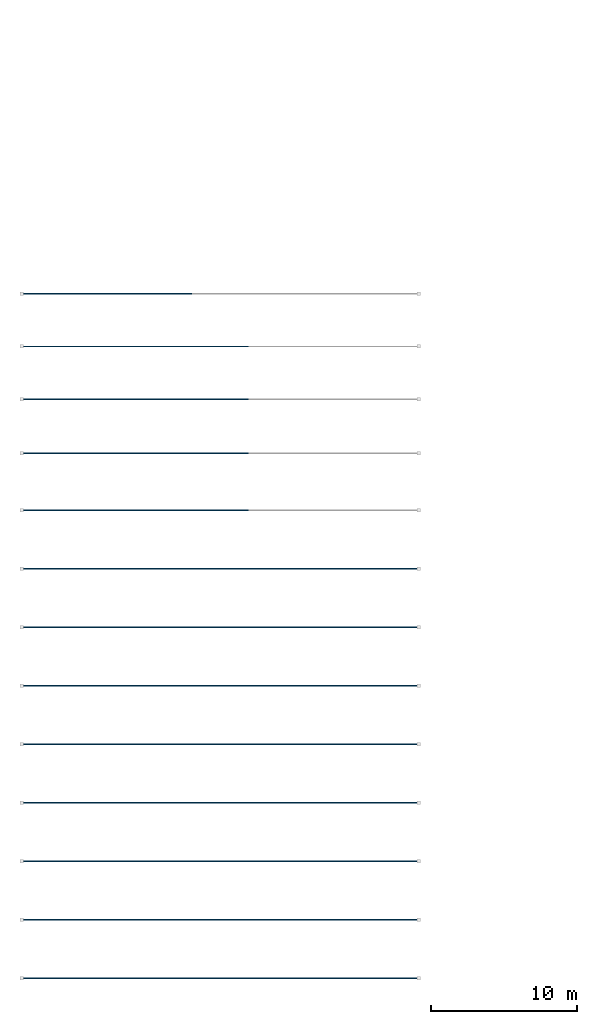
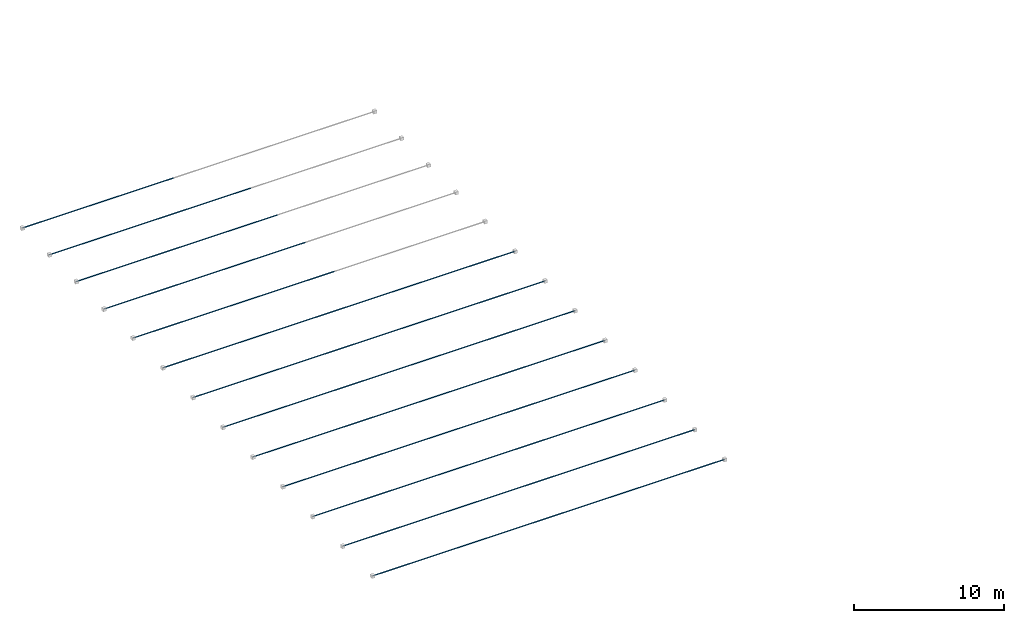
# One storey, part 1 of 4: 75 members.
"""IFC4 building model written with IfcOpenShell, lengths in metres."""

from ifc_helpers import new_model, si_unit, direction, frame, origin, origin_2d, place, context, subcontext, project, spatial, hollow_circle, extrude, material, material_profile, profile_set, type_object, element, save


model = new_model("IFC4")

# Units and contexts
model_context = context("Model", 3, precision=1e-05, world=origin(), true_north=direction((0.0, 1.0)))
body_context = subcontext(model_context, "Body", "Model", "MODEL_VIEW")
ifc_project = project(units=[si_unit("LENGTHUNIT", "METRE"), si_unit("AREAUNIT", "SQUARE_METRE"), si_unit("VOLUMEUNIT", "CUBIC_METRE"), si_unit("PLANEANGLEUNIT", "RADIAN"), si_unit("MASSUNIT", "GRAM", prefix="KILO")], contexts=[model_context])

# Site, building, storey
site_placement = place(None, origin())
site = spatial("IfcSite", under=ifc_project, at=site_placement, CompositionType="ELEMENT")
building_placement = place(site_placement, origin())
building = spatial("IfcBuilding", under=site, at=building_placement, Name="Kharva Crest Polytechnic", CompositionType="ELEMENT")
storey_placement = place(building_placement, frame((0.0, 0.0, 30.0)))
storey = spatial("IfcBuildingStorey", under=building, at=storey_placement, Name="RF", CompositionType="ELEMENT", Elevation=30.0)

# Members
ifc_material = material(Name="Steel S355", Category="steel")
ifc_material_profile = material_profile(ifc_material, hollow_circle(Radius=0.04443359375, WallThickness=0.0048828125, at=origin_2d()), Name="CHS 88.9X5.0")
ifc_profile_set = profile_set([ifc_material_profile], Name="Steel S355")
member_type = type_object("IfcMemberType", Name="MEM-CHS88-PR", PredefinedType="PURLIN", material=ifc_profile_set)
member_1_placement = place(storey_placement, frame((2.419921875, 42.800048828125, -18.488037109375), z_axis=(1.0, 0.0, 0.0), x_axis=(0.0, 1.0, 0.0)))
element("IfcMember", 1, at=member_1_placement, inside=storey, type_object=member_type, Name="Space Frame Roof Purlin 1.1", PredefinedType="PURLIN", context=body_context, shape_type="SweptSolid", body=[
    extrude(hollow_circle(Radius=0.04443359375, WallThickness=0.0048828125, at=origin_2d()), origin(), (0.0, 0.0, 1.0), 3.880126953125),
])
member_2_placement = place(storey_placement, frame((6.300048828125, 42.800048828125, -18.488037109375), z_axis=(1.0, 0.0, 0.0), x_axis=(0.0, 1.0, 0.0)))
element("IfcMember", 2, at=member_2_placement, inside=storey, type_object=member_type, Name="Space Frame Roof Purlin 1.2", PredefinedType="PURLIN", context=body_context, shape_type="SweptSolid", body=[
    extrude(hollow_circle(Radius=0.04443359375, WallThickness=0.0048828125, at=origin_2d()), origin(), (0.0, 0.0, 1.0), 3.8798828125),
])
member_3_placement = place(storey_placement, frame((10.179931640625, 42.800048828125, -18.488037109375), z_axis=(1.0, 0.0, 0.0), x_axis=(0.0, 1.0, 0.0)))
element("IfcMember", 3, at=member_3_placement, inside=storey, type_object=member_type, Name="Space Frame Roof Purlin 1.3", PredefinedType="PURLIN", context=body_context, shape_type="SweptSolid", body=[
    extrude(hollow_circle(Radius=0.04443359375, WallThickness=0.0048828125, at=origin_2d()), origin(), (0.0, 0.0, 1.0), 3.880126953125),
])
member_4_placement = place(storey_placement, frame((14.06005859375, 42.800048828125, -18.488037109375), z_axis=(1.0, 0.0, 0.0), x_axis=(0.0, 1.0, 0.0)))
element("IfcMember", 4, at=member_4_placement, inside=storey, type_object=member_type, Name="Space Frame Roof Purlin 1.4", PredefinedType="PURLIN", context=body_context, shape_type="SweptSolid", body=[
    extrude(hollow_circle(Radius=0.04443359375, WallThickness=0.0048828125, at=origin_2d()), origin(), (0.0, 0.0, 1.0), 3.8798828125),
])
member_5_placement = place(storey_placement, frame((17.93994140625, 42.800048828125, -18.488037109375), z_axis=(1.0, 0.0, 0.0), x_axis=(0.0, 1.0, 0.0)))
element("IfcMember", 5, at=member_5_placement, inside=storey, type_object=member_type, Name="Space Frame Roof Purlin 1.5", PredefinedType="PURLIN", context=body_context, shape_type="SweptSolid", body=[
    extrude(hollow_circle(Radius=0.04443359375, WallThickness=0.0048828125, at=origin_2d()), origin(), (0.0, 0.0, 1.0), 3.880126953125),
])
member_6_placement = place(storey_placement, frame((21.820068359375, 42.800048828125, -18.488037109375), z_axis=(1.0, 0.0, 0.0), x_axis=(0.0, 1.0, 0.0)))
element("IfcMember", 6, at=member_6_placement, inside=storey, type_object=member_type, Name="Space Frame Roof Purlin 1.6", PredefinedType="PURLIN", context=body_context, shape_type="SweptSolid", body=[
    extrude(hollow_circle(Radius=0.04443359375, WallThickness=0.0048828125, at=origin_2d()), origin(), (0.0, 0.0, 1.0), 3.8798828125),
])
for number, where, z_axis, x_axis, name in (
    (7, (25.699951171875, 42.800048828125, -18.488037109375), (1.0, 0.0, 0.0), (0.0, 1.0, 0.0), "Space Frame Roof Purlin 1.7"),
    (8, (2.419921875, 46.800048828125, -18.488037109375), (1.0, 0.0, 0.0), (0.0, 1.0, 0.0), "Space Frame Roof Purlin 2.1"),
):
    element("IfcMember", number, at=place(storey_placement, frame(where, z_axis=z_axis, x_axis=x_axis)), inside=storey, type_object=member_type, Name=name, PredefinedType="PURLIN", context=body_context, shape_type="SweptSolid", body=[
        extrude(hollow_circle(Radius=0.04443359375, WallThickness=0.0048828125, at=origin_2d()), origin(), (0.0, 0.0, 1.0), 3.880126953125),
    ])
member_7_placement = place(storey_placement, frame((6.300048828125, 46.800048828125, -18.488037109375), z_axis=(1.0, 0.0, 0.0), x_axis=(0.0, 1.0, 0.0)))
element("IfcMember", 9, at=member_7_placement, inside=storey, type_object=member_type, Name="Space Frame Roof Purlin 2.2", PredefinedType="PURLIN", context=body_context, shape_type="SweptSolid", body=[
    extrude(hollow_circle(Radius=0.04443359375, WallThickness=0.0048828125, at=origin_2d()), origin(), (0.0, 0.0, 1.0), 3.8798828125),
])
member_8_placement = place(storey_placement, frame((10.179931640625, 46.800048828125, -18.488037109375), z_axis=(1.0, 0.0, 0.0), x_axis=(0.0, 1.0, 0.0)))
element("IfcMember", 10, at=member_8_placement, inside=storey, type_object=member_type, Name="Space Frame Roof Purlin 2.3", PredefinedType="PURLIN", context=body_context, shape_type="SweptSolid", body=[
    extrude(hollow_circle(Radius=0.04443359375, WallThickness=0.0048828125, at=origin_2d()), origin(), (0.0, 0.0, 1.0), 3.880126953125),
])
member_9_placement = place(storey_placement, frame((14.06005859375, 46.800048828125, -18.488037109375), z_axis=(1.0, 0.0, 0.0), x_axis=(0.0, 1.0, 0.0)))
element("IfcMember", 11, at=member_9_placement, inside=storey, type_object=member_type, Name="Space Frame Roof Purlin 2.4", PredefinedType="PURLIN", context=body_context, shape_type="SweptSolid", body=[
    extrude(hollow_circle(Radius=0.04443359375, WallThickness=0.0048828125, at=origin_2d()), origin(), (0.0, 0.0, 1.0), 3.8798828125),
])
member_10_placement = place(storey_placement, frame((17.93994140625, 46.800048828125, -18.488037109375), z_axis=(1.0, 0.0, 0.0), x_axis=(0.0, 1.0, 0.0)))
element("IfcMember", 12, at=member_10_placement, inside=storey, type_object=member_type, Name="Space Frame Roof Purlin 2.5", PredefinedType="PURLIN", context=body_context, shape_type="SweptSolid", body=[
    extrude(hollow_circle(Radius=0.04443359375, WallThickness=0.0048828125, at=origin_2d()), origin(), (0.0, 0.0, 1.0), 3.880126953125),
])
member_11_placement = place(storey_placement, frame((21.820068359375, 46.800048828125, -18.488037109375), z_axis=(1.0, 0.0, 0.0), x_axis=(0.0, 1.0, 0.0)))
element("IfcMember", 13, at=member_11_placement, inside=storey, type_object=member_type, Name="Space Frame Roof Purlin 2.6", PredefinedType="PURLIN", context=body_context, shape_type="SweptSolid", body=[
    extrude(hollow_circle(Radius=0.04443359375, WallThickness=0.0048828125, at=origin_2d()), origin(), (0.0, 0.0, 1.0), 3.8798828125),
])
for number, where, z_axis, x_axis, name in (
    (14, (25.699951171875, 46.800048828125, -18.488037109375), (1.0, 0.0, 0.0), (0.0, 1.0, 0.0), "Space Frame Roof Purlin 2.7"),
    (15, (2.419921875, 50.800048828125, -18.488037109375), (1.0, 0.0, 0.0), (0.0, 1.0, 0.0), "Space Frame Roof Purlin 3.1"),
):
    element("IfcMember", number, at=place(storey_placement, frame(where, z_axis=z_axis, x_axis=x_axis)), inside=storey, type_object=member_type, Name=name, PredefinedType="PURLIN", context=body_context, shape_type="SweptSolid", body=[
        extrude(hollow_circle(Radius=0.04443359375, WallThickness=0.0048828125, at=origin_2d()), origin(), (0.0, 0.0, 1.0), 3.880126953125),
    ])
member_12_placement = place(storey_placement, frame((6.300048828125, 50.800048828125, -18.488037109375), z_axis=(1.0, 0.0, 0.0), x_axis=(0.0, 1.0, 0.0)))
element("IfcMember", 16, at=member_12_placement, inside=storey, type_object=member_type, Name="Space Frame Roof Purlin 3.2", PredefinedType="PURLIN", context=body_context, shape_type="SweptSolid", body=[
    extrude(hollow_circle(Radius=0.04443359375, WallThickness=0.0048828125, at=origin_2d()), origin(), (0.0, 0.0, 1.0), 3.8798828125),
])
member_13_placement = place(storey_placement, frame((10.179931640625, 50.800048828125, -18.488037109375), z_axis=(1.0, 0.0, 0.0), x_axis=(0.0, 1.0, 0.0)))
element("IfcMember", 17, at=member_13_placement, inside=storey, type_object=member_type, Name="Space Frame Roof Purlin 3.3", PredefinedType="PURLIN", context=body_context, shape_type="SweptSolid", body=[
    extrude(hollow_circle(Radius=0.04443359375, WallThickness=0.0048828125, at=origin_2d()), origin(), (0.0, 0.0, 1.0), 3.880126953125),
])
member_14_placement = place(storey_placement, frame((14.06005859375, 50.800048828125, -18.488037109375), z_axis=(1.0, 0.0, 0.0), x_axis=(0.0, 1.0, 0.0)))
element("IfcMember", 18, at=member_14_placement, inside=storey, type_object=member_type, Name="Space Frame Roof Purlin 3.4", PredefinedType="PURLIN", context=body_context, shape_type="SweptSolid", body=[
    extrude(hollow_circle(Radius=0.04443359375, WallThickness=0.0048828125, at=origin_2d()), origin(), (0.0, 0.0, 1.0), 3.8798828125),
])
member_15_placement = place(storey_placement, frame((17.93994140625, 50.800048828125, -18.488037109375), z_axis=(1.0, 0.0, 0.0), x_axis=(0.0, 1.0, 0.0)))
element("IfcMember", 19, at=member_15_placement, inside=storey, type_object=member_type, Name="Space Frame Roof Purlin 3.5", PredefinedType="PURLIN", context=body_context, shape_type="SweptSolid", body=[
    extrude(hollow_circle(Radius=0.04443359375, WallThickness=0.0048828125, at=origin_2d()), origin(), (0.0, 0.0, 1.0), 3.880126953125),
])
member_16_placement = place(storey_placement, frame((21.820068359375, 50.800048828125, -18.488037109375), z_axis=(1.0, 0.0, 0.0), x_axis=(0.0, 1.0, 0.0)))
element("IfcMember", 20, at=member_16_placement, inside=storey, type_object=member_type, Name="Space Frame Roof Purlin 3.6", PredefinedType="PURLIN", context=body_context, shape_type="SweptSolid", body=[
    extrude(hollow_circle(Radius=0.04443359375, WallThickness=0.0048828125, at=origin_2d()), origin(), (0.0, 0.0, 1.0), 3.8798828125),
])
for number, where, z_axis, x_axis, name in (
    (21, (25.699951171875, 50.800048828125, -18.488037109375), (1.0, 0.0, 0.0), (0.0, 1.0, 0.0), "Space Frame Roof Purlin 3.7"),
    (22, (2.419921875, 54.800048828125, -18.488037109375), (1.0, 0.0, 0.0), (0.0, 1.0, 0.0), "Space Frame Roof Purlin 4.1"),
):
    element("IfcMember", number, at=place(storey_placement, frame(where, z_axis=z_axis, x_axis=x_axis)), inside=storey, type_object=member_type, Name=name, PredefinedType="PURLIN", context=body_context, shape_type="SweptSolid", body=[
        extrude(hollow_circle(Radius=0.04443359375, WallThickness=0.0048828125, at=origin_2d()), origin(), (0.0, 0.0, 1.0), 3.880126953125),
    ])
member_17_placement = place(storey_placement, frame((6.300048828125, 54.800048828125, -18.488037109375), z_axis=(1.0, 0.0, 0.0), x_axis=(0.0, 1.0, 0.0)))
element("IfcMember", 23, at=member_17_placement, inside=storey, type_object=member_type, Name="Space Frame Roof Purlin 4.2", PredefinedType="PURLIN", context=body_context, shape_type="SweptSolid", body=[
    extrude(hollow_circle(Radius=0.04443359375, WallThickness=0.0048828125, at=origin_2d()), origin(), (0.0, 0.0, 1.0), 3.8798828125),
])
member_18_placement = place(storey_placement, frame((10.179931640625, 54.800048828125, -18.488037109375), z_axis=(1.0, 0.0, 0.0), x_axis=(0.0, 1.0, 0.0)))
element("IfcMember", 24, at=member_18_placement, inside=storey, type_object=member_type, Name="Space Frame Roof Purlin 4.3", PredefinedType="PURLIN", context=body_context, shape_type="SweptSolid", body=[
    extrude(hollow_circle(Radius=0.04443359375, WallThickness=0.0048828125, at=origin_2d()), origin(), (0.0, 0.0, 1.0), 3.880126953125),
])
member_19_placement = place(storey_placement, frame((14.06005859375, 54.800048828125, -18.488037109375), z_axis=(1.0, 0.0, 0.0), x_axis=(0.0, 1.0, 0.0)))
element("IfcMember", 25, at=member_19_placement, inside=storey, type_object=member_type, Name="Space Frame Roof Purlin 4.4", PredefinedType="PURLIN", context=body_context, shape_type="SweptSolid", body=[
    extrude(hollow_circle(Radius=0.04443359375, WallThickness=0.0048828125, at=origin_2d()), origin(), (0.0, 0.0, 1.0), 3.8798828125),
])
member_20_placement = place(storey_placement, frame((17.93994140625, 54.800048828125, -18.488037109375), z_axis=(1.0, 0.0, 0.0), x_axis=(0.0, 1.0, 0.0)))
element("IfcMember", 26, at=member_20_placement, inside=storey, type_object=member_type, Name="Space Frame Roof Purlin 4.5", PredefinedType="PURLIN", context=body_context, shape_type="SweptSolid", body=[
    extrude(hollow_circle(Radius=0.04443359375, WallThickness=0.0048828125, at=origin_2d()), origin(), (0.0, 0.0, 1.0), 3.880126953125),
])
member_21_placement = place(storey_placement, frame((21.820068359375, 54.800048828125, -18.488037109375), z_axis=(1.0, 0.0, 0.0), x_axis=(0.0, 1.0, 0.0)))
element("IfcMember", 27, at=member_21_placement, inside=storey, type_object=member_type, Name="Space Frame Roof Purlin 4.6", PredefinedType="PURLIN", context=body_context, shape_type="SweptSolid", body=[
    extrude(hollow_circle(Radius=0.04443359375, WallThickness=0.0048828125, at=origin_2d()), origin(), (0.0, 0.0, 1.0), 3.8798828125),
])
for number, where, z_axis, x_axis, name in (
    (28, (25.699951171875, 54.800048828125, -18.488037109375), (1.0, 0.0, 0.0), (0.0, 1.0, 0.0), "Space Frame Roof Purlin 4.7"),
    (29, (2.419921875, 58.800048828125, -18.488037109375), (1.0, 0.0, 0.0), (0.0, 1.0, 0.0), "Space Frame Roof Purlin 5.1"),
):
    element("IfcMember", number, at=place(storey_placement, frame(where, z_axis=z_axis, x_axis=x_axis)), inside=storey, type_object=member_type, Name=name, PredefinedType="PURLIN", context=body_context, shape_type="SweptSolid", body=[
        extrude(hollow_circle(Radius=0.04443359375, WallThickness=0.0048828125, at=origin_2d()), origin(), (0.0, 0.0, 1.0), 3.880126953125),
    ])
member_22_placement = place(storey_placement, frame((6.300048828125, 58.800048828125, -18.488037109375), z_axis=(1.0, 0.0, 0.0), x_axis=(0.0, 1.0, 0.0)))
element("IfcMember", 30, at=member_22_placement, inside=storey, type_object=member_type, Name="Space Frame Roof Purlin 5.2", PredefinedType="PURLIN", context=body_context, shape_type="SweptSolid", body=[
    extrude(hollow_circle(Radius=0.04443359375, WallThickness=0.0048828125, at=origin_2d()), origin(), (0.0, 0.0, 1.0), 3.8798828125),
])
member_23_placement = place(storey_placement, frame((10.179931640625, 58.800048828125, -18.488037109375), z_axis=(1.0, 0.0, 0.0), x_axis=(0.0, 1.0, 0.0)))
element("IfcMember", 31, at=member_23_placement, inside=storey, type_object=member_type, Name="Space Frame Roof Purlin 5.3", PredefinedType="PURLIN", context=body_context, shape_type="SweptSolid", body=[
    extrude(hollow_circle(Radius=0.04443359375, WallThickness=0.0048828125, at=origin_2d()), origin(), (0.0, 0.0, 1.0), 3.880126953125),
])
member_24_placement = place(storey_placement, frame((14.06005859375, 58.800048828125, -18.488037109375), z_axis=(1.0, 0.0, 0.0), x_axis=(0.0, 1.0, 0.0)))
element("IfcMember", 32, at=member_24_placement, inside=storey, type_object=member_type, Name="Space Frame Roof Purlin 5.4", PredefinedType="PURLIN", context=body_context, shape_type="SweptSolid", body=[
    extrude(hollow_circle(Radius=0.04443359375, WallThickness=0.0048828125, at=origin_2d()), origin(), (0.0, 0.0, 1.0), 3.8798828125),
])
member_25_placement = place(storey_placement, frame((17.93994140625, 58.800048828125, -18.488037109375), z_axis=(1.0, 0.0, 0.0), x_axis=(0.0, 1.0, 0.0)))
element("IfcMember", 33, at=member_25_placement, inside=storey, type_object=member_type, Name="Space Frame Roof Purlin 5.5", PredefinedType="PURLIN", context=body_context, shape_type="SweptSolid", body=[
    extrude(hollow_circle(Radius=0.04443359375, WallThickness=0.0048828125, at=origin_2d()), origin(), (0.0, 0.0, 1.0), 3.880126953125),
])
member_26_placement = place(storey_placement, frame((21.820068359375, 58.800048828125, -18.488037109375), z_axis=(1.0, 0.0, 0.0), x_axis=(0.0, 1.0, 0.0)))
element("IfcMember", 34, at=member_26_placement, inside=storey, type_object=member_type, Name="Space Frame Roof Purlin 5.6", PredefinedType="PURLIN", context=body_context, shape_type="SweptSolid", body=[
    extrude(hollow_circle(Radius=0.04443359375, WallThickness=0.0048828125, at=origin_2d()), origin(), (0.0, 0.0, 1.0), 3.8798828125),
])
for number, where, z_axis, x_axis, name in (
    (35, (25.699951171875, 58.800048828125, -18.488037109375), (1.0, 0.0, 0.0), (0.0, 1.0, 0.0), "Space Frame Roof Purlin 5.7"),
    (36, (2.419921875, 62.800048828125, -18.488037109375), (1.0, 0.0, 0.0), (0.0, 1.0, 0.0), "Space Frame Roof Purlin 6.1"),
):
    element("IfcMember", number, at=place(storey_placement, frame(where, z_axis=z_axis, x_axis=x_axis)), inside=storey, type_object=member_type, Name=name, PredefinedType="PURLIN", context=body_context, shape_type="SweptSolid", body=[
        extrude(hollow_circle(Radius=0.04443359375, WallThickness=0.0048828125, at=origin_2d()), origin(), (0.0, 0.0, 1.0), 3.880126953125),
    ])
member_27_placement = place(storey_placement, frame((6.300048828125, 62.800048828125, -18.488037109375), z_axis=(1.0, 0.0, 0.0), x_axis=(0.0, 1.0, 0.0)))
element("IfcMember", 37, at=member_27_placement, inside=storey, type_object=member_type, Name="Space Frame Roof Purlin 6.2", PredefinedType="PURLIN", context=body_context, shape_type="SweptSolid", body=[
    extrude(hollow_circle(Radius=0.04443359375, WallThickness=0.0048828125, at=origin_2d()), origin(), (0.0, 0.0, 1.0), 3.8798828125),
])
member_28_placement = place(storey_placement, frame((10.179931640625, 62.800048828125, -18.488037109375), z_axis=(1.0, 0.0, 0.0), x_axis=(0.0, 1.0, 0.0)))
element("IfcMember", 38, at=member_28_placement, inside=storey, type_object=member_type, Name="Space Frame Roof Purlin 6.3", PredefinedType="PURLIN", context=body_context, shape_type="SweptSolid", body=[
    extrude(hollow_circle(Radius=0.04443359375, WallThickness=0.0048828125, at=origin_2d()), origin(), (0.0, 0.0, 1.0), 3.880126953125),
])
member_29_placement = place(storey_placement, frame((14.06005859375, 62.800048828125, -18.488037109375), z_axis=(1.0, 0.0, 0.0), x_axis=(0.0, 1.0, 0.0)))
element("IfcMember", 39, at=member_29_placement, inside=storey, type_object=member_type, Name="Space Frame Roof Purlin 6.4", PredefinedType="PURLIN", context=body_context, shape_type="SweptSolid", body=[
    extrude(hollow_circle(Radius=0.04443359375, WallThickness=0.0048828125, at=origin_2d()), origin(), (0.0, 0.0, 1.0), 3.8798828125),
])
member_30_placement = place(storey_placement, frame((17.93994140625, 62.800048828125, -18.488037109375), z_axis=(1.0, 0.0, 0.0), x_axis=(0.0, 1.0, 0.0)))
element("IfcMember", 40, at=member_30_placement, inside=storey, type_object=member_type, Name="Space Frame Roof Purlin 6.5", PredefinedType="PURLIN", context=body_context, shape_type="SweptSolid", body=[
    extrude(hollow_circle(Radius=0.04443359375, WallThickness=0.0048828125, at=origin_2d()), origin(), (0.0, 0.0, 1.0), 3.880126953125),
])
member_31_placement = place(storey_placement, frame((21.820068359375, 62.800048828125, -18.488037109375), z_axis=(1.0, 0.0, 0.0), x_axis=(0.0, 1.0, 0.0)))
element("IfcMember", 41, at=member_31_placement, inside=storey, type_object=member_type, Name="Space Frame Roof Purlin 6.6", PredefinedType="PURLIN", context=body_context, shape_type="SweptSolid", body=[
    extrude(hollow_circle(Radius=0.04443359375, WallThickness=0.0048828125, at=origin_2d()), origin(), (0.0, 0.0, 1.0), 3.8798828125),
])
for number, where, z_axis, x_axis, name in (
    (42, (25.699951171875, 62.800048828125, -18.488037109375), (1.0, 0.0, 0.0), (0.0, 1.0, 0.0), "Space Frame Roof Purlin 6.7"),
    (43, (2.419921875, 66.800048828125, -18.488037109375), (1.0, 0.0, 0.0), (0.0, 1.0, 0.0), "Space Frame Roof Purlin 7.1"),
):
    element("IfcMember", number, at=place(storey_placement, frame(where, z_axis=z_axis, x_axis=x_axis)), inside=storey, type_object=member_type, Name=name, PredefinedType="PURLIN", context=body_context, shape_type="SweptSolid", body=[
        extrude(hollow_circle(Radius=0.04443359375, WallThickness=0.0048828125, at=origin_2d()), origin(), (0.0, 0.0, 1.0), 3.880126953125),
    ])
member_32_placement = place(storey_placement, frame((6.300048828125, 66.800048828125, -18.488037109375), z_axis=(1.0, 0.0, 0.0), x_axis=(0.0, 1.0, 0.0)))
element("IfcMember", 44, at=member_32_placement, inside=storey, type_object=member_type, Name="Space Frame Roof Purlin 7.2", PredefinedType="PURLIN", context=body_context, shape_type="SweptSolid", body=[
    extrude(hollow_circle(Radius=0.04443359375, WallThickness=0.0048828125, at=origin_2d()), origin(), (0.0, 0.0, 1.0), 3.8798828125),
])
member_33_placement = place(storey_placement, frame((10.179931640625, 66.800048828125, -18.488037109375), z_axis=(1.0, 0.0, 0.0), x_axis=(0.0, 1.0, 0.0)))
element("IfcMember", 45, at=member_33_placement, inside=storey, type_object=member_type, Name="Space Frame Roof Purlin 7.3", PredefinedType="PURLIN", context=body_context, shape_type="SweptSolid", body=[
    extrude(hollow_circle(Radius=0.04443359375, WallThickness=0.0048828125, at=origin_2d()), origin(), (0.0, 0.0, 1.0), 3.880126953125),
])
member_34_placement = place(storey_placement, frame((14.06005859375, 66.800048828125, -18.488037109375), z_axis=(1.0, 0.0, 0.0), x_axis=(0.0, 1.0, 0.0)))
element("IfcMember", 46, at=member_34_placement, inside=storey, type_object=member_type, Name="Space Frame Roof Purlin 7.4", PredefinedType="PURLIN", context=body_context, shape_type="SweptSolid", body=[
    extrude(hollow_circle(Radius=0.04443359375, WallThickness=0.0048828125, at=origin_2d()), origin(), (0.0, 0.0, 1.0), 3.8798828125),
])
member_35_placement = place(storey_placement, frame((17.93994140625, 66.800048828125, -18.488037109375), z_axis=(1.0, 0.0, 0.0), x_axis=(0.0, 1.0, 0.0)))
element("IfcMember", 47, at=member_35_placement, inside=storey, type_object=member_type, Name="Space Frame Roof Purlin 7.5", PredefinedType="PURLIN", context=body_context, shape_type="SweptSolid", body=[
    extrude(hollow_circle(Radius=0.04443359375, WallThickness=0.0048828125, at=origin_2d()), origin(), (0.0, 0.0, 1.0), 3.880126953125),
])
member_36_placement = place(storey_placement, frame((21.820068359375, 66.800048828125, -18.488037109375), z_axis=(1.0, 0.0, 0.0), x_axis=(0.0, 1.0, 0.0)))
element("IfcMember", 48, at=member_36_placement, inside=storey, type_object=member_type, Name="Space Frame Roof Purlin 7.6", PredefinedType="PURLIN", context=body_context, shape_type="SweptSolid", body=[
    extrude(hollow_circle(Radius=0.04443359375, WallThickness=0.0048828125, at=origin_2d()), origin(), (0.0, 0.0, 1.0), 3.8798828125),
])
for number, where, z_axis, x_axis, name in (
    (49, (25.699951171875, 66.800048828125, -18.488037109375), (1.0, 0.0, 0.0), (0.0, 1.0, 0.0), "Space Frame Roof Purlin 7.7"),
    (50, (2.419921875, 70.800048828125, -18.488037109375), (1.0, 0.0, 0.0), (0.0, 1.0, 0.0), "Space Frame Roof Purlin 8.1"),
):
    element("IfcMember", number, at=place(storey_placement, frame(where, z_axis=z_axis, x_axis=x_axis)), inside=storey, type_object=member_type, Name=name, PredefinedType="PURLIN", context=body_context, shape_type="SweptSolid", body=[
        extrude(hollow_circle(Radius=0.04443359375, WallThickness=0.0048828125, at=origin_2d()), origin(), (0.0, 0.0, 1.0), 3.880126953125),
    ])
member_37_placement = place(storey_placement, frame((6.300048828125, 70.800048828125, -18.488037109375), z_axis=(1.0, 0.0, 0.0), x_axis=(0.0, 1.0, 0.0)))
element("IfcMember", 51, at=member_37_placement, inside=storey, type_object=member_type, Name="Space Frame Roof Purlin 8.2", PredefinedType="PURLIN", context=body_context, shape_type="SweptSolid", body=[
    extrude(hollow_circle(Radius=0.04443359375, WallThickness=0.0048828125, at=origin_2d()), origin(), (0.0, 0.0, 1.0), 3.8798828125),
])
member_38_placement = place(storey_placement, frame((10.179931640625, 70.800048828125, -18.488037109375), z_axis=(1.0, 0.0, 0.0), x_axis=(0.0, 1.0, 0.0)))
element("IfcMember", 52, at=member_38_placement, inside=storey, type_object=member_type, Name="Space Frame Roof Purlin 8.3", PredefinedType="PURLIN", context=body_context, shape_type="SweptSolid", body=[
    extrude(hollow_circle(Radius=0.04443359375, WallThickness=0.0048828125, at=origin_2d()), origin(), (0.0, 0.0, 1.0), 3.880126953125),
])
member_39_placement = place(storey_placement, frame((14.06005859375, 70.800048828125, -18.488037109375), z_axis=(1.0, 0.0, 0.0), x_axis=(0.0, 1.0, 0.0)))
element("IfcMember", 53, at=member_39_placement, inside=storey, type_object=member_type, Name="Space Frame Roof Purlin 8.4", PredefinedType="PURLIN", context=body_context, shape_type="SweptSolid", body=[
    extrude(hollow_circle(Radius=0.04443359375, WallThickness=0.0048828125, at=origin_2d()), origin(), (0.0, 0.0, 1.0), 3.8798828125),
])
member_40_placement = place(storey_placement, frame((17.93994140625, 70.800048828125, -18.488037109375), z_axis=(1.0, 0.0, 0.0), x_axis=(0.0, 1.0, 0.0)))
element("IfcMember", 54, at=member_40_placement, inside=storey, type_object=member_type, Name="Space Frame Roof Purlin 8.5", PredefinedType="PURLIN", context=body_context, shape_type="SweptSolid", body=[
    extrude(hollow_circle(Radius=0.04443359375, WallThickness=0.0048828125, at=origin_2d()), origin(), (0.0, 0.0, 1.0), 3.880126953125),
])
member_41_placement = place(storey_placement, frame((21.820068359375, 70.800048828125, -18.488037109375), z_axis=(1.0, 0.0, 0.0), x_axis=(0.0, 1.0, 0.0)))
element("IfcMember", 55, at=member_41_placement, inside=storey, type_object=member_type, Name="Space Frame Roof Purlin 8.6", PredefinedType="PURLIN", context=body_context, shape_type="SweptSolid", body=[
    extrude(hollow_circle(Radius=0.04443359375, WallThickness=0.0048828125, at=origin_2d()), origin(), (0.0, 0.0, 1.0), 3.8798828125),
])
for number, where, z_axis, x_axis, name in (
    (56, (25.699951171875, 70.800048828125, -18.488037109375), (1.0, 0.0, 0.0), (0.0, 1.0, 0.0), "Space Frame Roof Purlin 8.7"),
    (57, (2.419921875, 74.800048828125, -18.488037109375), (1.0, 0.0, 0.0), (0.0, 1.0, 0.0), "Space Frame Roof Purlin 9.1"),
):
    element("IfcMember", number, at=place(storey_placement, frame(where, z_axis=z_axis, x_axis=x_axis)), inside=storey, type_object=member_type, Name=name, PredefinedType="PURLIN", context=body_context, shape_type="SweptSolid", body=[
        extrude(hollow_circle(Radius=0.04443359375, WallThickness=0.0048828125, at=origin_2d()), origin(), (0.0, 0.0, 1.0), 3.880126953125),
    ])
member_42_placement = place(storey_placement, frame((6.300048828125, 74.800048828125, -18.488037109375), z_axis=(1.0, 0.0, 0.0), x_axis=(0.0, 1.0, 0.0)))
element("IfcMember", 58, at=member_42_placement, inside=storey, type_object=member_type, Name="Space Frame Roof Purlin 9.2", PredefinedType="PURLIN", context=body_context, shape_type="SweptSolid", body=[
    extrude(hollow_circle(Radius=0.04443359375, WallThickness=0.0048828125, at=origin_2d()), origin(), (0.0, 0.0, 1.0), 3.8798828125),
])
member_43_placement = place(storey_placement, frame((10.179931640625, 74.800048828125, -18.488037109375), z_axis=(1.0, 0.0, 0.0), x_axis=(0.0, 1.0, 0.0)))
element("IfcMember", 59, at=member_43_placement, inside=storey, type_object=member_type, Name="Space Frame Roof Purlin 9.3", PredefinedType="PURLIN", context=body_context, shape_type="SweptSolid", body=[
    extrude(hollow_circle(Radius=0.04443359375, WallThickness=0.0048828125, at=origin_2d()), origin(), (0.0, 0.0, 1.0), 3.880126953125),
])
member_44_placement = place(storey_placement, frame((14.06005859375, 74.800048828125, -18.488037109375), z_axis=(1.0, 0.0, 0.0), x_axis=(0.0, 1.0, 0.0)))
element("IfcMember", 60, at=member_44_placement, inside=storey, type_object=member_type, Name="Space Frame Roof Purlin 9.4", PredefinedType="PURLIN", context=body_context, shape_type="SweptSolid", body=[
    extrude(hollow_circle(Radius=0.04443359375, WallThickness=0.0048828125, at=origin_2d()), origin(), (0.0, 0.0, 1.0), 3.8798828125),
])
member_45_placement = place(storey_placement, frame((2.419921875, 78.699951171875, -18.488037109375), z_axis=(1.0, 0.0, 0.0), x_axis=(0.0, 1.0, 0.0)))
element("IfcMember", 61, at=member_45_placement, inside=storey, type_object=member_type, Name="Space Frame Roof Purlin 10.1", PredefinedType="PURLIN", context=body_context, shape_type="SweptSolid", body=[
    extrude(hollow_circle(Radius=0.04443359375, WallThickness=0.0048828125, at=origin_2d()), origin(), (0.0, 0.0, 1.0), 3.880126953125),
])
member_46_placement = place(storey_placement, frame((6.300048828125, 78.699951171875, -18.488037109375), z_axis=(1.0, 0.0, 0.0), x_axis=(0.0, 1.0, 0.0)))
element("IfcMember", 62, at=member_46_placement, inside=storey, type_object=member_type, Name="Space Frame Roof Purlin 10.2", PredefinedType="PURLIN", context=body_context, shape_type="SweptSolid", body=[
    extrude(hollow_circle(Radius=0.04443359375, WallThickness=0.0048828125, at=origin_2d()), origin(), (0.0, 0.0, 1.0), 3.8798828125),
])
member_47_placement = place(storey_placement, frame((10.179931640625, 78.699951171875, -18.488037109375), z_axis=(1.0, 0.0, 0.0), x_axis=(0.0, 1.0, 0.0)))
element("IfcMember", 63, at=member_47_placement, inside=storey, type_object=member_type, Name="Space Frame Roof Purlin 10.3", PredefinedType="PURLIN", context=body_context, shape_type="SweptSolid", body=[
    extrude(hollow_circle(Radius=0.04443359375, WallThickness=0.0048828125, at=origin_2d()), origin(), (0.0, 0.0, 1.0), 3.880126953125),
])
member_48_placement = place(storey_placement, frame((14.06005859375, 78.699951171875, -18.488037109375), z_axis=(1.0, 0.0, 0.0), x_axis=(0.0, 1.0, 0.0)))
element("IfcMember", 64, at=member_48_placement, inside=storey, type_object=member_type, Name="Space Frame Roof Purlin 10.4", PredefinedType="PURLIN", context=body_context, shape_type="SweptSolid", body=[
    extrude(hollow_circle(Radius=0.04443359375, WallThickness=0.0048828125, at=origin_2d()), origin(), (0.0, 0.0, 1.0), 3.8798828125),
])
member_49_placement = place(storey_placement, frame((2.419921875, 82.39990234375, -18.488037109375), z_axis=(1.0, 0.0, 0.0), x_axis=(0.0, 1.0, 0.0)))
element("IfcMember", 65, at=member_49_placement, inside=storey, type_object=member_type, Name="Space Frame Roof Purlin 11.1", PredefinedType="PURLIN", context=body_context, shape_type="SweptSolid", body=[
    extrude(hollow_circle(Radius=0.04443359375, WallThickness=0.0048828125, at=origin_2d()), origin(), (0.0, 0.0, 1.0), 3.880126953125),
])
member_50_placement = place(storey_placement, frame((6.300048828125, 82.39990234375, -18.488037109375), z_axis=(1.0, 0.0, 0.0), x_axis=(0.0, 1.0, 0.0)))
element("IfcMember", 66, at=member_50_placement, inside=storey, type_object=member_type, Name="Space Frame Roof Purlin 11.2", PredefinedType="PURLIN", context=body_context, shape_type="SweptSolid", body=[
    extrude(hollow_circle(Radius=0.04443359375, WallThickness=0.0048828125, at=origin_2d()), origin(), (0.0, 0.0, 1.0), 3.8798828125),
])
member_51_placement = place(storey_placement, frame((10.179931640625, 82.39990234375, -18.488037109375), z_axis=(1.0, 0.0, 0.0), x_axis=(0.0, 1.0, 0.0)))
element("IfcMember", 67, at=member_51_placement, inside=storey, type_object=member_type, Name="Space Frame Roof Purlin 11.3", PredefinedType="PURLIN", context=body_context, shape_type="SweptSolid", body=[
    extrude(hollow_circle(Radius=0.04443359375, WallThickness=0.0048828125, at=origin_2d()), origin(), (0.0, 0.0, 1.0), 3.880126953125),
])
member_52_placement = place(storey_placement, frame((14.06005859375, 82.39990234375, -18.488037109375), z_axis=(1.0, 0.0, 0.0), x_axis=(0.0, 1.0, 0.0)))
element("IfcMember", 68, at=member_52_placement, inside=storey, type_object=member_type, Name="Space Frame Roof Purlin 11.4", PredefinedType="PURLIN", context=body_context, shape_type="SweptSolid", body=[
    extrude(hollow_circle(Radius=0.04443359375, WallThickness=0.0048828125, at=origin_2d()), origin(), (0.0, 0.0, 1.0), 3.8798828125),
])
member_53_placement = place(storey_placement, frame((2.419921875, 86.0, -18.488037109375), z_axis=(1.0, 0.0, 0.0), x_axis=(0.0, 1.0, 0.0)))
element("IfcMember", 69, at=member_53_placement, inside=storey, type_object=member_type, Name="Space Frame Roof Purlin 12.1", PredefinedType="PURLIN", context=body_context, shape_type="SweptSolid", body=[
    extrude(hollow_circle(Radius=0.04443359375, WallThickness=0.0048828125, at=origin_2d()), origin(), (0.0, 0.0, 1.0), 3.880126953125),
])
member_54_placement = place(storey_placement, frame((6.300048828125, 86.0, -18.488037109375), z_axis=(1.0, 0.0, 0.0), x_axis=(0.0, 1.0, 0.0)))
element("IfcMember", 70, at=member_54_placement, inside=storey, type_object=member_type, Name="Space Frame Roof Purlin 12.2", PredefinedType="PURLIN", context=body_context, shape_type="SweptSolid", body=[
    extrude(hollow_circle(Radius=0.04443359375, WallThickness=0.0048828125, at=origin_2d()), origin(), (0.0, 0.0, 1.0), 3.8798828125),
])
member_55_placement = place(storey_placement, frame((10.179931640625, 86.0, -18.488037109375), z_axis=(1.0, 0.0, 0.0), x_axis=(0.0, 1.0, 0.0)))
element("IfcMember", 71, at=member_55_placement, inside=storey, type_object=member_type, Name="Space Frame Roof Purlin 12.3", PredefinedType="PURLIN", context=body_context, shape_type="SweptSolid", body=[
    extrude(hollow_circle(Radius=0.04443359375, WallThickness=0.0048828125, at=origin_2d()), origin(), (0.0, 0.0, 1.0), 3.880126953125),
])
member_56_placement = place(storey_placement, frame((14.06005859375, 86.0, -18.488037109375), z_axis=(1.0, 0.0, 0.0), x_axis=(0.0, 1.0, 0.0)))
element("IfcMember", 72, at=member_56_placement, inside=storey, type_object=member_type, Name="Space Frame Roof Purlin 12.4", PredefinedType="PURLIN", context=body_context, shape_type="SweptSolid", body=[
    extrude(hollow_circle(Radius=0.04443359375, WallThickness=0.0048828125, at=origin_2d()), origin(), (0.0, 0.0, 1.0), 3.8798828125),
])
member_57_placement = place(storey_placement, frame((2.419921875, 89.60009765625, -18.488037109375), z_axis=(1.0, 0.0, 0.0), x_axis=(0.0, 1.0, 0.0)))
element("IfcMember", 73, at=member_57_placement, inside=storey, type_object=member_type, Name="Space Frame Roof Purlin 13.1", PredefinedType="PURLIN", context=body_context, shape_type="SweptSolid", body=[
    extrude(hollow_circle(Radius=0.04443359375, WallThickness=0.0048828125, at=origin_2d()), origin(), (0.0, 0.0, 1.0), 3.880126953125),
])
member_58_placement = place(storey_placement, frame((6.300048828125, 89.60009765625, -18.488037109375), z_axis=(1.0, 0.0, 0.0), x_axis=(0.0, 1.0, 0.0)))
element("IfcMember", 74, at=member_58_placement, inside=storey, type_object=member_type, Name="Space Frame Roof Purlin 13.2", PredefinedType="PURLIN", context=body_context, shape_type="SweptSolid", body=[
    extrude(hollow_circle(Radius=0.04443359375, WallThickness=0.0048828125, at=origin_2d()), origin(), (0.0, 0.0, 1.0), 3.8798828125),
])
member_59_placement = place(storey_placement, frame((10.179931640625, 89.60009765625, -18.488037109375), z_axis=(1.0, 0.0, 0.0), x_axis=(0.0, 1.0, 0.0)))
element("IfcMember", 75, at=member_59_placement, inside=storey, type_object=member_type, Name="Space Frame Roof Purlin 13.3", PredefinedType="PURLIN", context=body_context, shape_type="SweptSolid", body=[
    extrude(hollow_circle(Radius=0.04443359375, WallThickness=0.0048828125, at=origin_2d()), origin(), (0.0, 0.0, 1.0), 3.880126953125),
])

save(model, "model.ifc")
